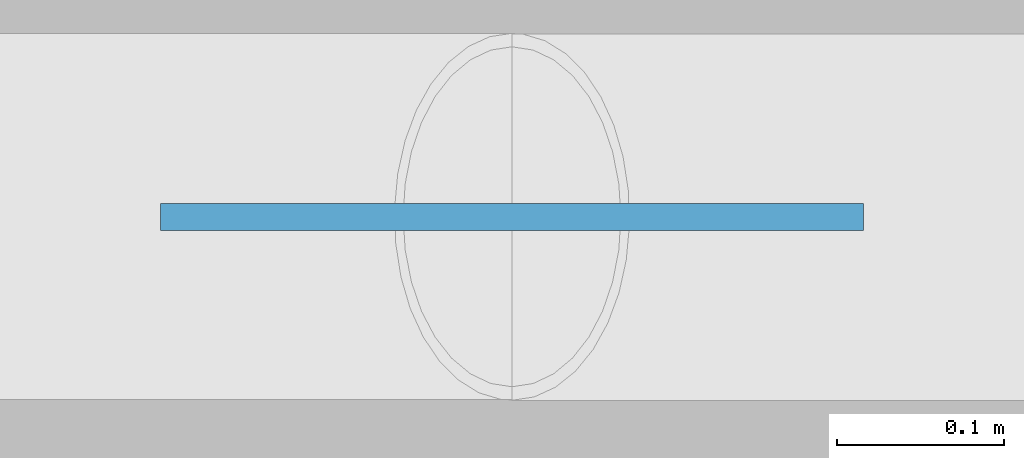
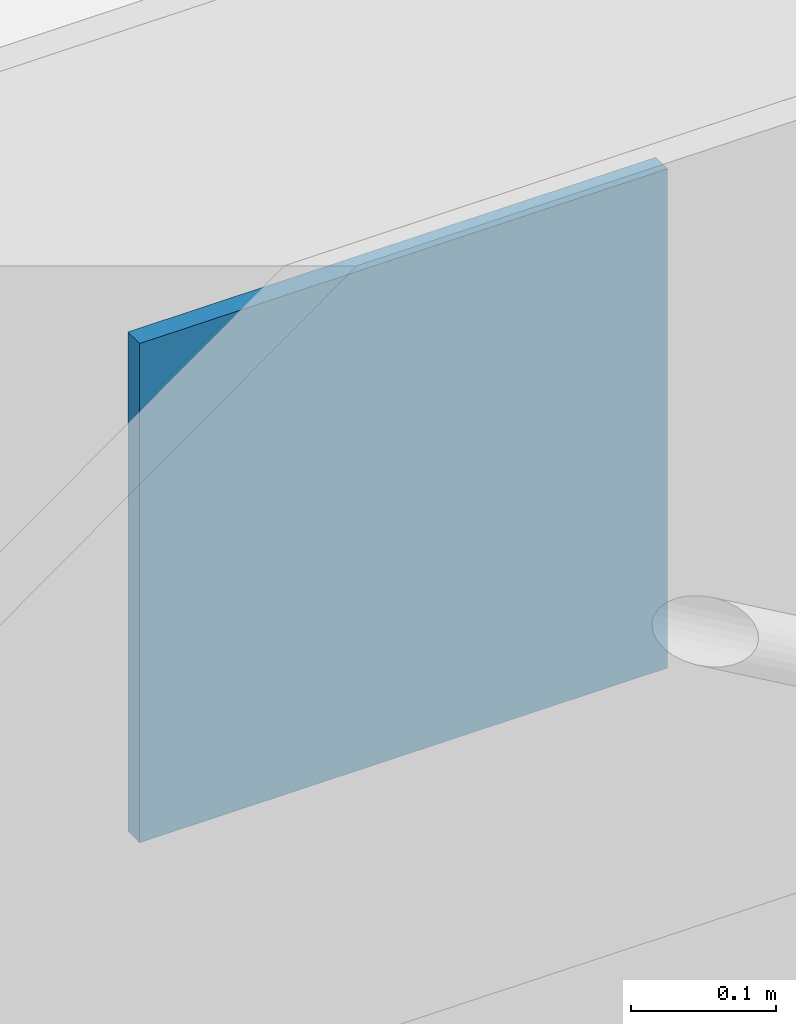
# One storey, part 8 of 19: 1 plate.
"""IFC4 building model written with IfcOpenShell, lengths in metres."""

from ifc_helpers import new_model, si_unit, direction, frame, origin, origin_2d, place, context, subcontext, project, spatial, rectangle, extrude, material, layer, layer_set, type_object, element, save


model = new_model("IFC4")

# Units and contexts
model_context = context("Model", 3, precision=1e-05, world=origin(), true_north=direction((0.0, 1.0)))
body_context = subcontext(model_context, "Body", "Model", "MODEL_VIEW")
ifc_project = project(units=[si_unit("LENGTHUNIT", "METRE"), si_unit("AREAUNIT", "SQUARE_METRE"), si_unit("VOLUMEUNIT", "CUBIC_METRE"), si_unit("PLANEANGLEUNIT", "RADIAN"), si_unit("MASSUNIT", "GRAM", prefix="KILO")], contexts=[model_context])

# Site, building, storey
site_placement = place(None, origin())
site = spatial("IfcSite", under=ifc_project, at=site_placement, CompositionType="ELEMENT")
building_placement = place(site_placement, origin())
building = spatial("IfcBuilding", under=site, at=building_placement, Name="Chengyuan Square Courthouse", CompositionType="ELEMENT")
storey_placement = place(building_placement, frame((0.0, 0.0, 47.699951171875)))
storey = spatial("IfcBuildingStorey", under=building, at=storey_placement, Name="L11", CompositionType="ELEMENT", Elevation=47.699951171875)

# Plate
ifc_material = material(Name="Steel Q355B", Category="steel")
ifc_layer = layer(ifc_material, 0.01611328125)
ifc_layer_set = layer_set([ifc_layer], Name="Steel Q355B")
plate_type = type_object("IfcPlateType", Name="GP-01", PredefinedType="SHEET", material=ifc_layer_set)
plate_placement = place(storey_placement, frame((105.0, 108.0, 3.400146484375), z_axis=(0.0, 0.0, 1.0), x_axis=(1.0, 0.0, 0.0)))
element("IfcPlate", 1, at=plate_placement, inside=storey, type_object=plate_type, Name="Brace Gusset Plate GP-L11-12", PredefinedType="SHEET", context=body_context, shape_type="SweptSolid", body=[
    extrude(rectangle(XDim=0.419921875, YDim=0.01611328125, at=origin_2d()), origin(), (0.0, 0.0, 1.0), 0.419921875),
])

save(model, "model.ifc")
